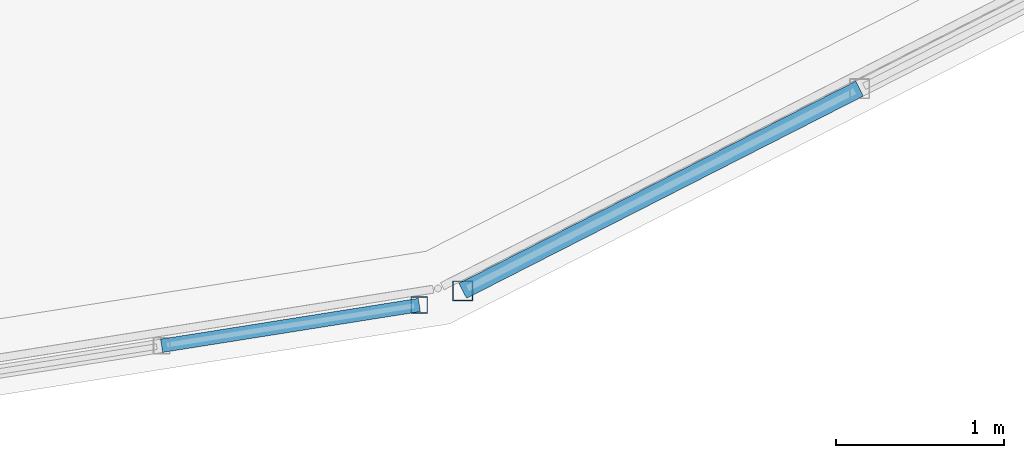
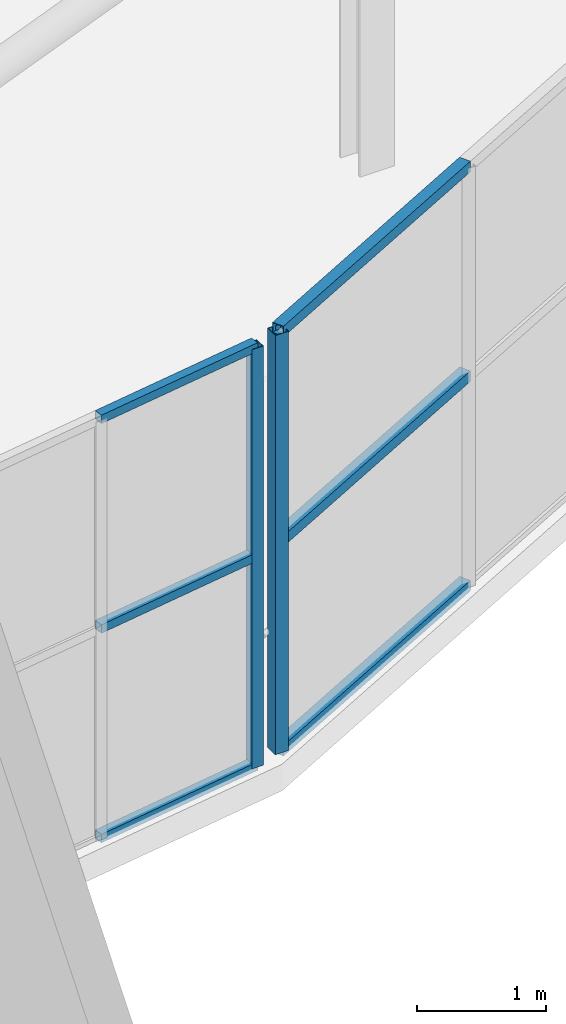
# One storey, part 88 of 151: 8 members, 2 elements without a shape of their own.
"""IFC4 building model written with IfcOpenShell, lengths in metres."""

from ifc_helpers import new_model, si_unit, direction, frame, origin, origin_2d, place, context, subcontext, project, spatial, hollow_rectangle, extrude, material, material_profile, profile_set, type_object, element, aggregate, save


model = new_model("IFC4")

# Units and contexts
model_context = context("Model", 3, precision=1e-05, world=origin(), true_north=direction((0.0, 1.0)))
body_context = subcontext(model_context, "Body", "Model", "MODEL_VIEW")
ifc_project = project(units=[si_unit("LENGTHUNIT", "METRE"), si_unit("AREAUNIT", "SQUARE_METRE"), si_unit("VOLUMEUNIT", "CUBIC_METRE"), si_unit("PLANEANGLEUNIT", "RADIAN"), si_unit("MASSUNIT", "GRAM", prefix="KILO")], contexts=[model_context])

# Site, building, storey
site_placement = place(None, origin())
site = spatial("IfcSite", under=ifc_project, at=site_placement, CompositionType="ELEMENT")
building_placement = place(site_placement, origin())
building = spatial("IfcBuilding", under=site, at=building_placement, Name="Zuvorla Pavilion Media Centre", CompositionType="ELEMENT")
storey_placement = place(building_placement, frame((0.0, 0.0, 13.800048828125)))
storey = spatial("IfcBuildingStorey", under=building, at=storey_placement, Name="L03", CompositionType="ELEMENT", Elevation=13.800048828125)

# Curtain wall, member
ifc_material_1 = material(Name="Unitised anodised aluminium and solar glass curtain wall", Category="aluminium")
curtain_wall_type_1 = type_object("IfcCurtainWallType", Name="CW-SYS-06", PredefinedType="USERDEFINED", material=ifc_material_1)
curtain_wall_1_placement = place(storey_placement, origin())
curtain_wall_1 = element("IfcCurtainWall", 1, at=curtain_wall_1_placement, inside=storey, type_object=curtain_wall_type_1, Name="L03 curtain wall CW06 95", ObjectType="CURTAIN WALL", PredefinedType="USERDEFINED")
ifc_material_2 = material(Name="Anodised aluminium 6063-T6", Category="aluminium")
ifc_material_profile_1 = material_profile(ifc_material_2, hollow_rectangle(XDim=0.10009765625, YDim=0.10009765625, WallThickness=0.00439453125, at=origin_2d()), Name="ALU MULL 100x100")
ifc_profile_set_1 = profile_set([ifc_material_profile_1], Name="Anodised aluminium 6063-T6")
member_type_1 = type_object("IfcMemberType", Name="CW-MULL-100", PredefinedType="MULLION", material=ifc_profile_set_1)
member_1_placement = place(storey_placement, frame((162.782470703125, 44.994140625, 0.0), z_axis=(0.0, 0.0, 1.0), x_axis=(1.0, 0.0, 0.0)))
member_1 = element("IfcMember", 2, at=member_1_placement, type_object=member_type_1, Name="CW06 mullion 3", PredefinedType="MULLION", context=body_context, shape_type="SweptSolid", body=[
    extrude(hollow_rectangle(XDim=0.10009765625, YDim=0.10009765625, WallThickness=0.00439453125, at=origin_2d()), origin(), (0.0, 0.0, 1.0), 3.9599609375),
])

# Curtain wall, members
curtain_wall_type_2 = type_object("IfcCurtainWallType", Name="CW-SYS-03", PredefinedType="USERDEFINED", material=ifc_material_1)
curtain_wall_2_placement = place(storey_placement, origin())
curtain_wall_2 = element("IfcCurtainWall", 3, at=curtain_wall_2_placement, inside=storey, type_object=curtain_wall_type_2, Name="L03 curtain wall CW03 96", ObjectType="CURTAIN WALL", PredefinedType="USERDEFINED")
ifc_material_profile_2 = material_profile(ifc_material_2, hollow_rectangle(XDim=0.1201171875, YDim=0.1201171875, WallThickness=0.0048828125, at=origin_2d()), Name="ALU MULL 120x120")
ifc_profile_set_2 = profile_set([ifc_material_profile_2], Name="Anodised aluminium 6063-T6")
member_type_2 = type_object("IfcMemberType", Name="CW-MULL-120", PredefinedType="MULLION", material=ifc_profile_set_2)
member_2_placement = place(storey_placement, frame((163.041259765625, 45.078369140625, 0.0), z_axis=(0.0, 0.0, 1.0), x_axis=(1.0, 0.0, 0.0)))
member_2 = element("IfcMember", 4, at=member_2_placement, type_object=member_type_2, Name="CW03 mullion 1", PredefinedType="MULLION", context=body_context, shape_type="SweptSolid", body=[
    extrude(hollow_rectangle(XDim=0.1201171875, YDim=0.1201171875, WallThickness=0.0048828125, at=origin_2d()), origin(), (0.0, 0.0, 1.0), 3.9599609375),
])
ifc_material_profile_3 = material_profile(ifc_material_2, hollow_rectangle(XDim=0.10009765625, YDim=0.10009765625, WallThickness=0.00439453125, at=origin_2d()), Name="ALU TRAN 100x100")
ifc_profile_set_3 = profile_set([ifc_material_profile_3], Name="Anodised aluminium 6063-T6")
member_type_3 = type_object("IfcMemberType", Name="CW-TRAN-100", PredefinedType="USERDEFINED", material=ifc_profile_set_3)
member_3_placement = place(storey_placement, frame((163.041259765625, 45.078369140625, 0.0), z_axis=(0.891000209717, 0.454002892375, 0.0), x_axis=(-0.454002892375, 0.891000209717, 0.0)))
member_3 = element("IfcMember", 5, at=member_3_placement, type_object=member_type_3, Name="CW03 transom 1.1", ObjectType="TRANSOM", PredefinedType="USERDEFINED", context=body_context, shape_type="SweptSolid", body=[
    extrude(hollow_rectangle(XDim=0.10009765625, YDim=0.10009765625, WallThickness=0.00439453125, at=origin_2d()), origin(), (0.0, 0.0, 1.0), 2.656005859375),
])
member_4_placement = place(storey_placement, frame((163.041259765625, 45.078369140625, 1.97998046875), z_axis=(0.891000209717, 0.454002892375, 0.0), x_axis=(-0.454002892375, 0.891000209717, 0.0)))
member_4 = element("IfcMember", 6, at=member_4_placement, type_object=member_type_3, Name="CW03 transom 1.2", ObjectType="TRANSOM", PredefinedType="USERDEFINED", context=body_context, shape_type="SweptSolid", body=[
    extrude(hollow_rectangle(XDim=0.10009765625, YDim=0.10009765625, WallThickness=0.00439453125, at=origin_2d()), origin(), (0.0, 0.0, 1.0), 2.656005859375),
])
member_5_placement = place(storey_placement, frame((163.041259765625, 45.078369140625, 3.9599609375), z_axis=(0.891000209717, 0.454002892375, 0.0), x_axis=(-0.454002892375, 0.891000209717, 0.0)))
member_5 = element("IfcMember", 7, at=member_5_placement, type_object=member_type_3, Name="CW03 transom 1.3", ObjectType="TRANSOM", PredefinedType="USERDEFINED", context=body_context, shape_type="SweptSolid", body=[
    extrude(hollow_rectangle(XDim=0.10009765625, YDim=0.10009765625, WallThickness=0.00439453125, at=origin_2d()), origin(), (0.0, 0.0, 1.0), 2.656005859375),
])
aggregate(curtain_wall_2, [member_2, member_3, member_4, member_5])

# Member
ifc_material_profile_4 = material_profile(ifc_material_2, hollow_rectangle(XDim=0.080078125, YDim=0.080078125, WallThickness=0.00390625, at=origin_2d()), Name="ALU TRAN 80x80")
ifc_profile_set_4 = profile_set([ifc_material_profile_4], Name="Anodised aluminium 6063-T6")
member_type_4 = type_object("IfcMemberType", Name="CW-TRAN-80", PredefinedType="USERDEFINED", material=ifc_profile_set_4)
member_6_placement = place(storey_placement, frame((161.24560546875, 44.750732421875, 0.0), z_axis=(0.987689069115, 0.156429865275, 0.0), x_axis=(-0.156429865275, 0.987689069115, 0.0)))
member_6 = element("IfcMember", 8, at=member_6_placement, type_object=member_type_4, Name="CW06 transom 2.1", ObjectType="TRANSOM", PredefinedType="USERDEFINED", context=body_context, shape_type="SweptSolid", body=[
    extrude(hollow_rectangle(XDim=0.080078125, YDim=0.080078125, WallThickness=0.00390625, at=origin_2d()), origin(), (0.0, 0.0, 1.0), 1.555908203125),
])

member_7_placement = place(storey_placement, frame((161.24560546875, 44.750732421875, 1.97998046875), z_axis=(0.987689069115, 0.156429865275, 0.0), x_axis=(-0.156429865275, 0.987689069115, 0.0)))
member_7 = element("IfcMember", 9, at=member_7_placement, type_object=member_type_4, Name="CW06 transom 2.2", ObjectType="TRANSOM", PredefinedType="USERDEFINED", context=body_context, shape_type="SweptSolid", body=[
    extrude(hollow_rectangle(XDim=0.080078125, YDim=0.080078125, WallThickness=0.00390625, at=origin_2d()), origin(), (0.0, 0.0, 1.0), 1.555908203125),
])

member_8_placement = place(storey_placement, frame((161.24560546875, 44.750732421875, 3.9599609375), z_axis=(0.987689069115, 0.156429865275, 0.0), x_axis=(-0.156429865275, 0.987689069115, 0.0)))
member_8 = element("IfcMember", 10, at=member_8_placement, type_object=member_type_4, Name="CW06 transom 2.3", ObjectType="TRANSOM", PredefinedType="USERDEFINED", context=body_context, shape_type="SweptSolid", body=[
    extrude(hollow_rectangle(XDim=0.080078125, YDim=0.080078125, WallThickness=0.00390625, at=origin_2d()), origin(), (0.0, 0.0, 1.0), 1.555908203125),
])

aggregate(curtain_wall_1, [member_1, member_6, member_7, member_8])

save(model, "model.ifc")
